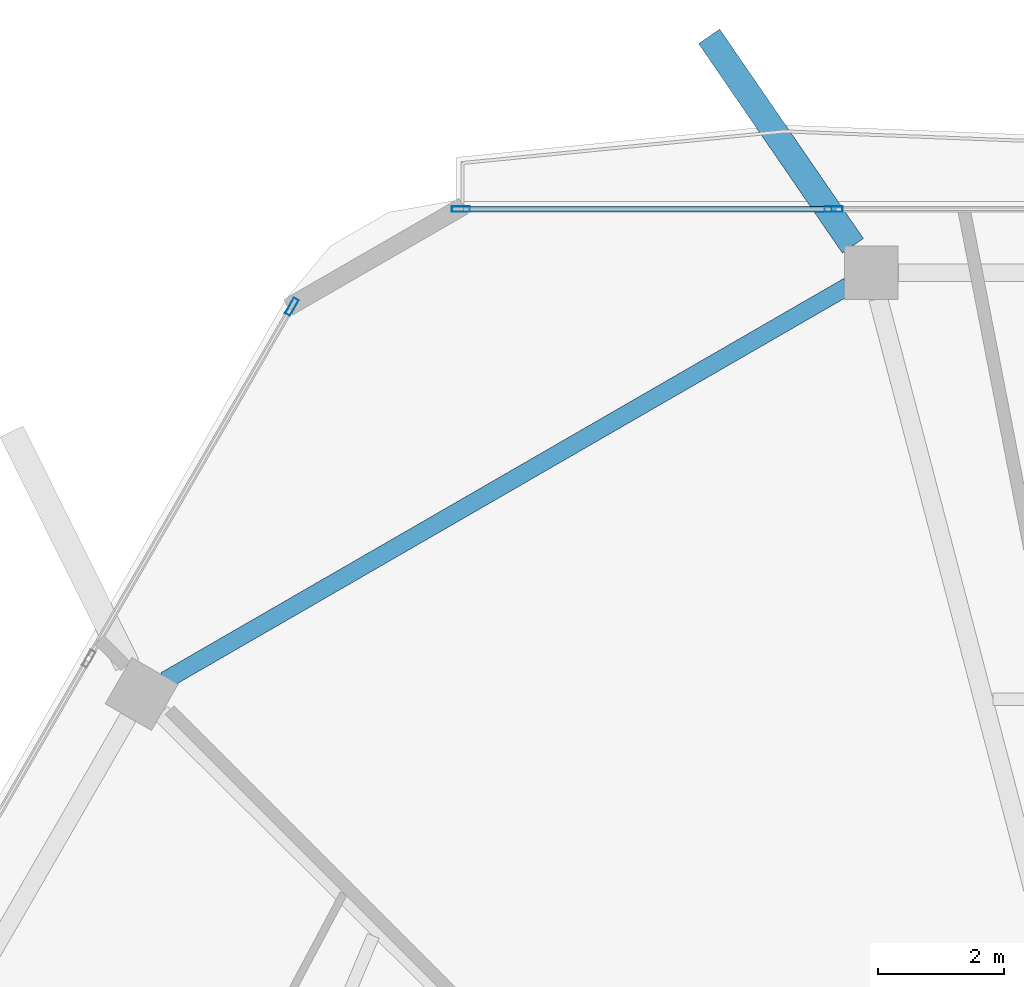
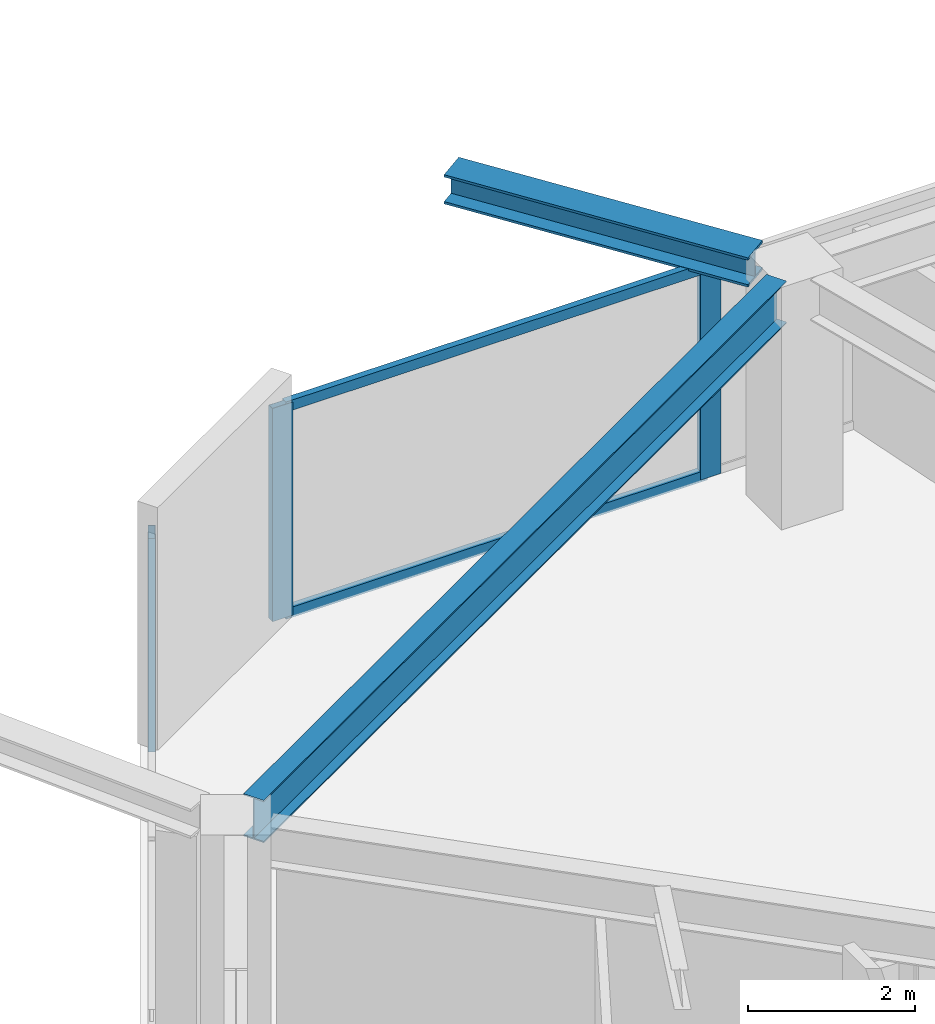
# One storey, part 13 of 26: 5 members, 2 beams, 2 elements without a shape of their own.
"""IFC4 building model written with IfcOpenShell, lengths in metres."""

from ifc_helpers import new_model, si_unit, direction, frame, origin, origin_2d, place, context, subcontext, project, spatial, hollow_rectangle, i_section, extrude, material, material_profile, profile_set, type_object, element, aggregate, save


model = new_model("IFC4")

# Units and contexts
model_context = context("Model", 3, precision=1e-05, world=origin(), true_north=direction((0.0, 1.0)))
body_context = subcontext(model_context, "Body", "Model", "MODEL_VIEW")
ifc_project = project(units=[si_unit("LENGTHUNIT", "METRE"), si_unit("AREAUNIT", "SQUARE_METRE"), si_unit("VOLUMEUNIT", "CUBIC_METRE"), si_unit("PLANEANGLEUNIT", "RADIAN"), si_unit("MASSUNIT", "GRAM", prefix="KILO")], contexts=[model_context])

# Site, building, storey
site_placement = place(None, origin())
site = spatial("IfcSite", under=ifc_project, at=site_placement, CompositionType="ELEMENT")
building_placement = place(site_placement, origin())
building = spatial("IfcBuilding", under=site, at=building_placement, Name="Zuhravey Tower", CompositionType="ELEMENT")
storey_placement = place(building_placement, frame((0.0, 0.0, 288.199951171875)))
storey = spatial("IfcBuildingStorey", under=building, at=storey_placement, Name="L73", CompositionType="ELEMENT", Elevation=288.199951171875)

# Curtain wall, member
ifc_material_1 = material(Name="Thermally broken anodised aluminium", Category="aluminium")
curtain_wall_type = type_object("IfcCurtainWallType", Name="Zone 3-4 High-Rise Curtain Wall CW4", PredefinedType="NOTDEFINED", material=ifc_material_1)
curtain_wall_1_placement = place(storey_placement, origin())
curtain_wall_1 = element("IfcCurtainWall", 1, at=curtain_wall_1_placement, inside=storey, type_object=curtain_wall_type, Name="L73 CW4 CW-L73-F3-1", PredefinedType="NOTDEFINED")
ifc_material_2 = material(Name="Anodised aluminium", Category="aluminium")
ifc_material_profile_1 = material_profile(ifc_material_2, hollow_rectangle(XDim=0.090087890625, YDim=0.284912109375, WallThickness=0.0048828125, at=origin_2d()), Name="ALU-RHS-90x285x5")
ifc_profile_set_1 = profile_set([ifc_material_profile_1], Name="Anodised aluminium")
member_type_1 = type_object("IfcMemberType", Name="Curtain-Wall Mullion 90x180", PredefinedType="MULLION", material=ifc_profile_set_1)
member_1_placement = place(storey_placement, frame((20.34521484375, 56.01220703125, 0.0), z_axis=(0.0, 0.0, 1.0), x_axis=(-0.866024851021, 0.500000957414, 0.0)))
member_1 = element("IfcMember", 2, at=member_1_placement, type_object=member_type_1, Name="CW4 mullion 5", PredefinedType="MULLION", context=body_context, shape_type="SweptSolid", body=[
    extrude(hollow_rectangle(XDim=0.090087890625, YDim=0.284912109375, WallThickness=0.0048828125, at=origin_2d()), origin(), (0.0, 0.0, 1.0), 3.1220703125),
])
aggregate(curtain_wall_1, [member_1])

# Curtain wall, members
curtain_wall_2_placement = place(storey_placement, origin())
curtain_wall_2 = element("IfcCurtainWall", 3, at=curtain_wall_2_placement, inside=storey, type_object=curtain_wall_type, Name="L73 CW4 CW-L73-F2-1", PredefinedType="NOTDEFINED")
member_2_placement = place(storey_placement, frame((23.0322265625, 57.563720703125, 0.0), z_axis=(0.0, 0.0, 1.0), x_axis=(0.0, 1.0, 0.0)))
member_2 = element("IfcMember", 4, at=member_2_placement, type_object=member_type_1, Name="CW4 mullion 1", PredefinedType="MULLION", context=body_context, shape_type="SweptSolid", body=[
    extrude(hollow_rectangle(XDim=0.090087890625, YDim=0.284912109375, WallThickness=0.0048828125, at=origin_2d()), origin(), (0.0, 0.0, 1.0), 3.1220703125),
])
member_3_placement = place(storey_placement, frame((28.959228515625, 57.563720703125, 0.0), z_axis=(0.0, 0.0, 1.0), x_axis=(0.0, 1.0, 0.0)))
member_3 = element("IfcMember", 5, at=member_3_placement, type_object=member_type_1, Name="CW4 mullion 2", PredefinedType="MULLION", context=body_context, shape_type="SweptSolid", body=[
    extrude(hollow_rectangle(XDim=0.090087890625, YDim=0.284912109375, WallThickness=0.0048828125, at=origin_2d()), origin(), (0.0, 0.0, 1.0), 3.1220703125),
])
ifc_material_profile_2 = material_profile(ifc_material_2, hollow_rectangle(XDim=0.090087890625, YDim=0.14990234375, WallThickness=0.0048828125, at=origin_2d()), Name="ALU-RHS-90x150x5")
ifc_profile_set_2 = profile_set([ifc_material_profile_2], Name="Anodised aluminium")
member_type_2 = type_object("IfcMemberType", Name="Curtain-Wall Transom 90x150", PredefinedType="USERDEFINED", material=ifc_profile_set_2)
member_4_placement = place(storey_placement, frame((23.077392578125, 57.563720703125, 0.045166015625), z_axis=(1.0, 0.0, 0.0), x_axis=(0.0, 1.0, 0.0)))
member_4 = element("IfcMember", 6, at=member_4_placement, type_object=member_type_2, Name="CW4 transom 1.1", ObjectType="TRANSOM", PredefinedType="USERDEFINED", context=body_context, shape_type="SweptSolid", body=[
    extrude(hollow_rectangle(XDim=0.090087890625, YDim=0.14990234375, WallThickness=0.0048828125, at=origin_2d()), origin(), (0.0, 0.0, 1.0), 5.8369140625),
])
member_5_placement = place(storey_placement, frame((23.077392578125, 57.563720703125, 3.0771484375), z_axis=(1.0, 0.0, 0.0), x_axis=(0.0, 1.0, 0.0)))
member_5 = element("IfcMember", 7, at=member_5_placement, type_object=member_type_2, Name="CW4 transom 1.2", ObjectType="TRANSOM", PredefinedType="USERDEFINED", context=body_context, shape_type="SweptSolid", body=[
    extrude(hollow_rectangle(XDim=0.090087890625, YDim=0.14990234375, WallThickness=0.0048828125, at=origin_2d()), origin(), (0.0, 0.0, 1.0), 5.8369140625),
])
aggregate(curtain_wall_2, [member_2, member_3, member_4, member_5])

# Beams
ifc_material_3 = material(Name="Steel SM460", Category="steel")
ifc_material_profile_3 = material_profile(ifc_material_3, i_section(OverallWidth=0.406982421875, OverallDepth=0.427978515625, WebThickness=0.02001953125, FlangeThickness=0.034912109375, at=origin_2d()), Name="H-428x407x20x35")
ifc_profile_set_3 = profile_set([ifc_material_profile_3], Name="Steel SM460")
beam_type_1 = type_object("IfcBeamType", Name="Exoskeleton Node Tie Beam H428x407", PredefinedType="BEAM", material=ifc_profile_set_3)
beam_1_placement = place(storey_placement, frame((29.26513671875, 56.98193359375, 3.3359375), z_axis=(-0.565977066696, 0.824420984676, 0.0), x_axis=(-0.824420984676, -0.565977066696, 0.0)))
element("IfcBeam", 8, at=beam_1_placement, inside=storey, type_object=beam_type_1, Name="L73 Exoskeleton Node Tie NT1-04", PredefinedType="BEAM", context=body_context, shape_type="SweptSolid", body=[
    extrude(i_section(OverallWidth=0.406982421875, OverallDepth=0.427978515625, WebThickness=0.02001953125, FlangeThickness=0.034912109375, at=origin_2d()), origin(), (0.0, 0.0, 1.0), 4.038330078125),
])
ifc_material_4 = material(Name="Steel SM355", Category="steel")
ifc_material_profile_4 = material_profile(ifc_material_4, i_section(OverallWidth=0.280029296875, OverallDepth=0.6201171875, WebThickness=0.011962890625, FlangeThickness=0.02001953125, at=origin_2d()), Name="H-620x280x12x20")
ifc_profile_set_4 = profile_set([ifc_material_profile_4], Name="Steel SM355")
beam_type_2 = type_object("IfcBeamType", Name="Perimeter Ring Beam H620x280", PredefinedType="BEAM", material=ifc_profile_set_4)
beam_2_placement = place(storey_placement, frame((29.1884765625, 56.339599609375, 3.239990234375), z_axis=(-0.866018312875, -0.500012281615, 0.0), x_axis=(0.500012281615, -0.866018312875, 0.0)))
element("IfcBeam", 9, at=beam_2_placement, inside=storey, type_object=beam_type_2, Name="L73 PB3 BM-L73-PB-04", PredefinedType="BEAM", context=body_context, shape_type="SweptSolid", body=[
    extrude(i_section(OverallWidth=0.280029296875, OverallDepth=0.6201171875, WebThickness=0.011962890625, FlangeThickness=0.02001953125, at=origin_2d()), origin(), (0.0, 0.0, 1.0), 12.541748046875),
])

save(model, "model.ifc")
